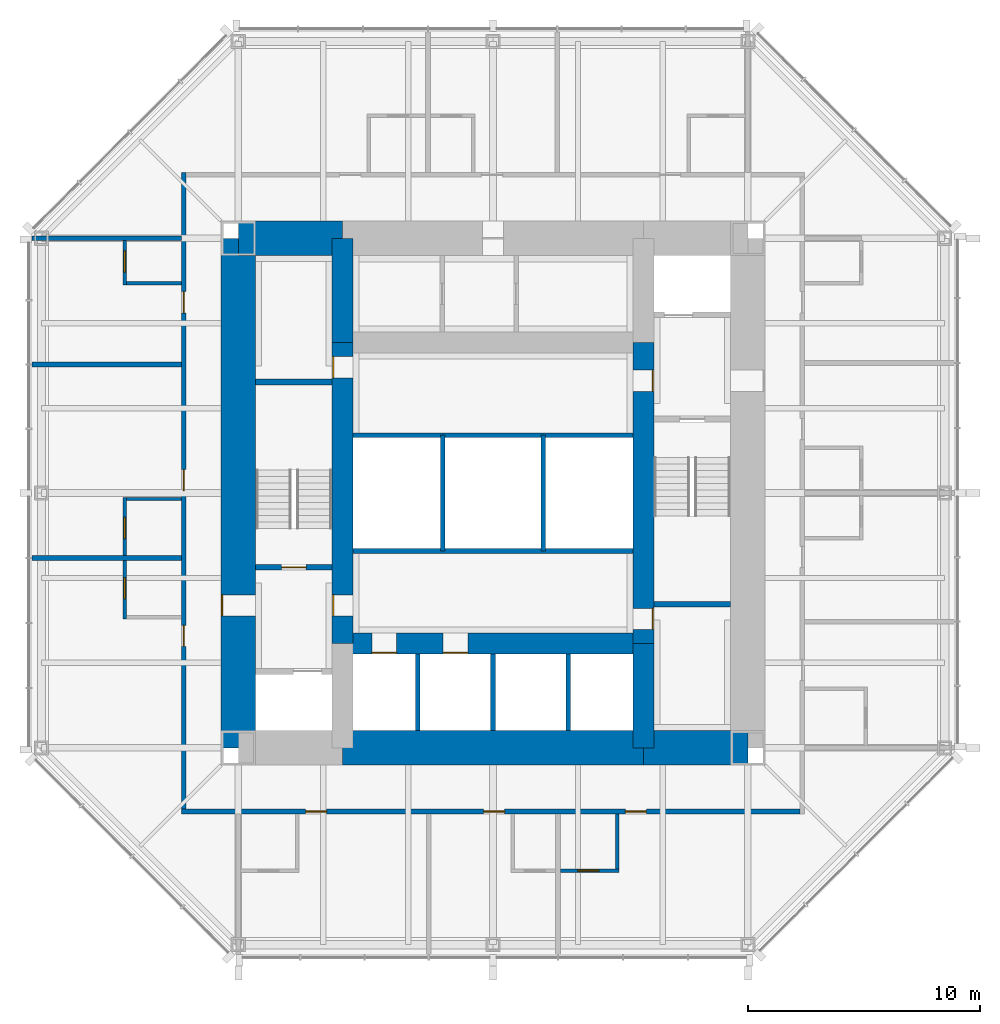
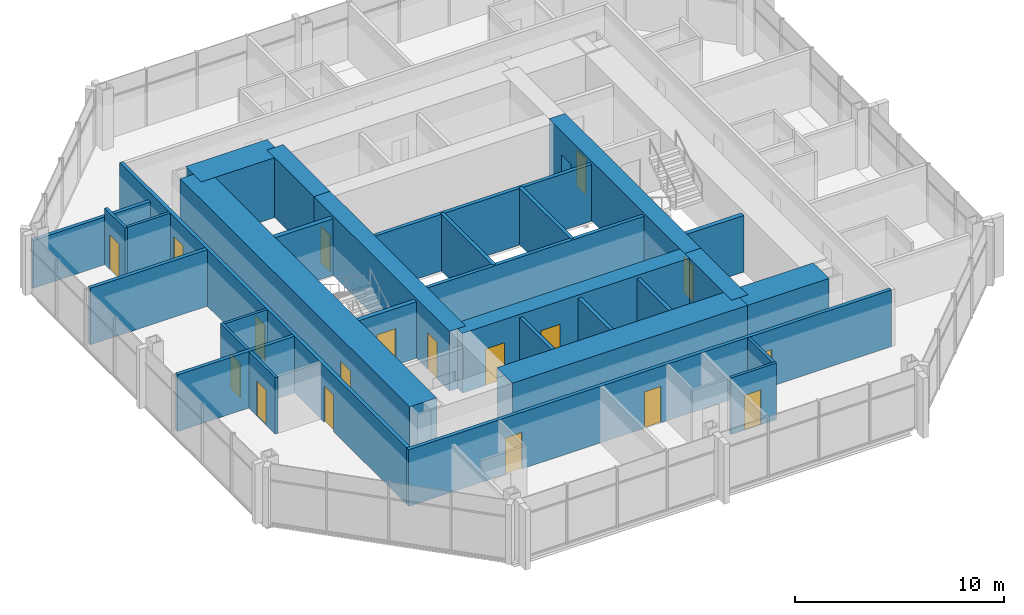
# One storey, part 8 of 11: 31 walls, 18 doors, 18 openings.
"""IFC4 building model written with IfcOpenShell, lengths in metres."""

from ifc_helpers import new_model, si_unit, direction, frame, frame_2d, origin, place, context, subcontext, project, spatial, rectangle, extrude, material, layer, layer_set, type_object, element, fill, save


model = new_model("IFC4")

# Units and contexts
model_context = context("Model", 3, precision=1e-05, world=origin(), true_north=direction((0.0, 1.0)))
body_context = subcontext(model_context, "Body", "Model", "MODEL_VIEW")
ifc_project = project(units=[si_unit("LENGTHUNIT", "METRE"), si_unit("AREAUNIT", "SQUARE_METRE"), si_unit("VOLUMEUNIT", "CUBIC_METRE"), si_unit("PLANEANGLEUNIT", "RADIAN"), si_unit("MASSUNIT", "GRAM", prefix="KILO")], contexts=[model_context])

# Site, building, storey
site_placement = place(None, origin())
site = spatial("IfcSite", under=ifc_project, at=site_placement, CompositionType="ELEMENT")
building_placement = place(site_placement, origin())
building = spatial("IfcBuilding", under=site, at=building_placement, Name="Trevanion Tower", CompositionType="ELEMENT")
storey_placement = place(building_placement, frame((0.0, 0.0, 215.199951171875)))
storey = spatial("IfcBuildingStorey", under=building, at=storey_placement, Name="L51", CompositionType="ELEMENT", Elevation=215.199951171875)

# Wall, opening, door
ifc_material_1 = material(Name="Concrete 10,000 psi", Category="concrete")
ifc_layer_1 = layer(ifc_material_1, 1.5)
ifc_layer_set_1 = layer_set([ifc_layer_1], Name="CW1 core wall 1500")
wall_type_1 = type_object("IfcWallType", Name="CW1 core wall 1500", PredefinedType="SHEAR", material=ifc_layer_set_1)
wall_1_placement = place(storey_placement, frame((-11.0, 11.0, 0.0), z_axis=(0.0, 0.0, 1.0), x_axis=(0.0, -1.0, 0.0)))
wall_1 = element("IfcWall", 1, at=wall_1_placement, inside=storey, type_object=wall_type_1, Name="CW1 CW L51", PredefinedType="SHEAR", context=body_context, shape_type="SweptSolid", body=[
    extrude(rectangle(XDim=22.0, YDim=1.5, at=frame_2d((11.0, 0.0))), origin(), (0.0, 0.0, 1.0), 3.5),
])
opening_1_placement = place(wall_1_placement, frame((15.392578125, 0.0, 0.0)))
opening_1 = element("IfcOpeningElement", 2, at=opening_1_placement, cuts=wall_1, Name="Opening 51-002", PredefinedType="OPENING", context=body_context, shape_type="SweptSolid", body=[
    extrude(rectangle(XDim=0.9150390625, YDim=2.134033203125, at=frame_2d((0.45751953125, 1.06689453125))), frame((0.0, 0.760009765625, 0.0), z_axis=(0.0, -1.0, 0.0), x_axis=(1.0, 0.0, 0.0)), (0.0, 0.0, 1.0), 1.52001953125),
])
ifc_material_2 = material(Name="Hollow metal, fire rated", Category="steel")
door_type_1 = type_object("IfcDoorType", Name="D3 fire lift lobby door", OperationType="SINGLE_SWING_RIGHT", PredefinedType="DOOR", material=ifc_material_2)
door_1_placement = place(opening_1_placement, origin())
door_1 = element("IfcDoor", 3, at=door_1_placement, inside=storey, type_object=door_type_1, Name="Door 51-002", OperationType="SINGLE_SWING_RIGHT", OverallHeight=2.134033203125, OverallWidth=0.9150390625, PredefinedType="DOOR", context=body_context, shape_type="SweptSolid", body=[
    extrude(rectangle(XDim=0.9150390625, YDim=2.134033203125, at=frame_2d((0.45751953125, 1.06689453125))), frame((0.0, -0.6748046875, 0.0), z_axis=(0.0, -1.0, 0.0), x_axis=(1.0, 0.0, 0.0)), (0.0, 0.0, 1.0), 0.050048828125),
])
fill(opening_1, door_1)

# Walls
wall_2_placement = place(storey_placement, frame((-6.5, 11.0, 0.0), z_axis=(0.0, 0.0, 1.0), x_axis=(-1.0, 0.0, 0.0)))
element("IfcWall", 4, at=wall_2_placement, inside=storey, type_object=wall_type_1, Name="CW1 CN3 L51", PredefinedType="SHEAR", context=body_context, shape_type="SweptSolid", body=[
    extrude(rectangle(XDim=4.5, YDim=1.5, at=frame_2d((2.25, 0.0))), origin(), (0.0, 0.0, 1.0), 3.5),
])
wall_3_placement = place(storey_placement, frame((-6.5, -11.0, 0.0), z_axis=(0.0, 0.0, 1.0), x_axis=(1.0, 0.0, 0.0)))
element("IfcWall", 5, at=wall_3_placement, inside=storey, type_object=wall_type_1, Name="CW1 CS2 L51", PredefinedType="SHEAR", context=body_context, shape_type="SweptSolid", body=[
    extrude(rectangle(XDim=13.0, YDim=1.5, at=frame_2d((6.5, 0.0))), origin(), (0.0, 0.0, 1.0), 3.5),
])
wall_4_placement = place(storey_placement, frame((6.5, -11.0, 0.0), z_axis=(0.0, 0.0, 1.0), x_axis=(1.0, 0.0, 0.0)))
element("IfcWall", 6, at=wall_4_placement, inside=storey, type_object=wall_type_1, Name="CW1 CS3 L51", PredefinedType="SHEAR", context=body_context, shape_type="SweptSolid", body=[
    extrude(rectangle(XDim=4.5, YDim=1.5, at=frame_2d((2.25, 0.0))), origin(), (0.0, 0.0, 1.0), 3.5),
])
ifc_material_3 = material(Name="Concrete 10,000 psi", Category="concrete")
ifc_layer_2 = layer(ifc_material_3, 0.89990234375)
ifc_layer_set_2 = layer_set([ifc_layer_2], Name="CW2 core wall 900")
wall_type_2 = type_object("IfcWallType", Name="CW2 core wall 900", PredefinedType="SHEAR", material=ifc_layer_set_2)
wall_5_placement = place(storey_placement, frame((6.5, -11.0, 0.0), z_axis=(0.0, 0.0, 1.0), x_axis=(0.0, 1.0, 0.0)))
element("IfcWall", 7, at=wall_5_placement, inside=storey, type_object=wall_type_2, Name="CW2 RE1 L51", PredefinedType="SHEAR", context=body_context, shape_type="SweptSolid", body=[
    extrude(rectangle(XDim=4.5, YDim=0.89990234375, at=frame_2d((2.25, 0.0))), origin(), (0.0, 0.0, 1.0), 3.5),
])

# Wall, openings, doors
wall_6_placement = place(storey_placement, frame((6.5, -6.5, 0.0), z_axis=(0.0, 0.0, 1.0), x_axis=(0.0, 1.0, 0.0)))
wall_6 = element("IfcWall", 8, at=wall_6_placement, inside=storey, type_object=wall_type_2, Name="CW2 RE2 L51", PredefinedType="SHEAR", context=body_context, shape_type="SweptSolid", body=[
    extrude(rectangle(XDim=13.0, YDim=0.89990234375, at=frame_2d((6.5, 0.0))), origin(), (0.0, 0.0, 1.0), 3.5),
])
opening_2_placement = place(wall_6_placement, frame((10.892578125, 0.0, 0.0)))
opening_2 = element("IfcOpeningElement", 9, at=opening_2_placement, cuts=wall_6, Name="Opening 51-003", PredefinedType="OPENING", context=body_context, shape_type="SweptSolid", body=[
    extrude(rectangle(XDim=0.9150390625, YDim=2.134033203125, at=frame_2d((0.45751953125, 1.06689453125))), frame((0.0, 0.4599609375, 0.0), z_axis=(0.0, -1.0, 0.0), x_axis=(1.0, 0.0, 0.0)), (0.0, 0.0, 1.0), 0.919921875),
])
opening_3_placement = place(wall_6_placement, frame((0.610107421875, 0.0, 0.0)))
opening_3 = element("IfcOpeningElement", 10, at=opening_3_placement, cuts=wall_6, Name="Opening 51-009", PredefinedType="OPENING", context=body_context, shape_type="SweptSolid", body=[
    extrude(rectangle(XDim=0.9150390625, YDim=2.134033203125, at=frame_2d((0.45751953125, 1.06689453125))), frame((0.0, 0.4599609375, 0.0), z_axis=(0.0, -1.0, 0.0), x_axis=(1.0, 0.0, 0.0)), (0.0, 0.0, 1.0), 0.919921875),
])
door_2_placement = place(opening_2_placement, origin())
door_2 = element("IfcDoor", 11, at=door_2_placement, inside=storey, type_object=door_type_1, Name="Door 51-003", OperationType="SINGLE_SWING_RIGHT", OverallHeight=2.134033203125, OverallWidth=0.9150390625, PredefinedType="DOOR", context=body_context, shape_type="SweptSolid", body=[
    extrude(rectangle(XDim=0.9150390625, YDim=2.134033203125, at=frame_2d((0.45751953125, 1.06689453125))), frame((0.0, -0.375, 0.0), z_axis=(0.0, -1.0, 0.0), x_axis=(1.0, 0.0, 0.0)), (0.0, 0.0, 1.0), 0.050048828125),
])
fill(opening_2, door_2)
ifc_material_4 = material(Name="Hollow metal, fire rated", Category="steel")
door_type_2 = type_object("IfcDoorType", Name="D5 service room door", OperationType="SINGLE_SWING_RIGHT", PredefinedType="DOOR", material=ifc_material_4)
door_3_placement = place(opening_3_placement, origin())
door_3 = element("IfcDoor", 12, at=door_3_placement, inside=storey, type_object=door_type_2, Name="Door 51-009", OperationType="SINGLE_SWING_RIGHT", OverallHeight=2.134033203125, OverallWidth=0.9150390625, PredefinedType="DOOR", context=body_context, shape_type="SweptSolid", body=[
    extrude(rectangle(XDim=0.9150390625, YDim=2.134033203125, at=frame_2d((0.45751953125, 1.06689453125))), frame((0.0, -0.375, 0.0), z_axis=(0.0, -1.0, 0.0), x_axis=(1.0, 0.0, 0.0)), (0.0, 0.0, 1.0), 0.050048828125),
])
fill(opening_3, door_3)

# Wall
wall_7_placement = place(storey_placement, frame((-6.5, 11.0, 0.0), z_axis=(0.0, 0.0, 1.0), x_axis=(0.0, -1.0, 0.0)))
element("IfcWall", 13, at=wall_7_placement, inside=storey, type_object=wall_type_2, Name="CW2 RW1 L51", PredefinedType="SHEAR", context=body_context, shape_type="SweptSolid", body=[
    extrude(rectangle(XDim=4.5, YDim=0.89990234375, at=frame_2d((2.25, 0.0))), origin(), (0.0, 0.0, 1.0), 3.5),
])

# Wall, openings, doors
wall_8_placement = place(storey_placement, frame((-6.5, 6.5, 0.0), z_axis=(0.0, 0.0, 1.0), x_axis=(0.0, -1.0, 0.0)))
wall_8 = element("IfcWall", 14, at=wall_8_placement, inside=storey, type_object=wall_type_2, Name="CW2 RW2 L51", PredefinedType="SHEAR", context=body_context, shape_type="SweptSolid", body=[
    extrude(rectangle(XDim=13.0, YDim=0.89990234375, at=frame_2d((6.5, 0.0))), origin(), (0.0, 0.0, 1.0), 3.5),
])
opening_4_placement = place(wall_8_placement, frame((10.892578125, 0.0, 0.0)))
opening_4 = element("IfcOpeningElement", 15, at=opening_4_placement, cuts=wall_8, Name="Opening 51-004", PredefinedType="OPENING", context=body_context, shape_type="SweptSolid", body=[
    extrude(rectangle(XDim=0.9150390625, YDim=2.134033203125, at=frame_2d((0.45751953125, 1.06689453125))), frame((0.0, 0.4599609375, 0.0), z_axis=(0.0, -1.0, 0.0), x_axis=(1.0, 0.0, 0.0)), (0.0, 0.0, 1.0), 0.919921875),
])
opening_5_placement = place(wall_8_placement, frame((0.610107421875, 0.0, 0.0)))
opening_5 = element("IfcOpeningElement", 16, at=opening_5_placement, cuts=wall_8, Name="Opening 51-010", PredefinedType="OPENING", context=body_context, shape_type="SweptSolid", body=[
    extrude(rectangle(XDim=0.9150390625, YDim=2.134033203125, at=frame_2d((0.45751953125, 1.06689453125))), frame((0.0, 0.4599609375, 0.0), z_axis=(0.0, -1.0, 0.0), x_axis=(1.0, 0.0, 0.0)), (0.0, 0.0, 1.0), 0.919921875),
])
door_4_placement = place(opening_4_placement, origin())
door_4 = element("IfcDoor", 17, at=door_4_placement, inside=storey, type_object=door_type_1, Name="Door 51-004", OperationType="SINGLE_SWING_RIGHT", OverallHeight=2.134033203125, OverallWidth=0.9150390625, PredefinedType="DOOR", context=body_context, shape_type="SweptSolid", body=[
    extrude(rectangle(XDim=0.9150390625, YDim=2.134033203125, at=frame_2d((0.45751953125, 1.06689453125))), frame((0.0, -0.375, 0.0), z_axis=(0.0, -1.0, 0.0), x_axis=(1.0, 0.0, 0.0)), (0.0, 0.0, 1.0), 0.050048828125),
])
fill(opening_4, door_4)
door_5_placement = place(opening_5_placement, origin())
door_5 = element("IfcDoor", 18, at=door_5_placement, inside=storey, type_object=door_type_2, Name="Door 51-010", OperationType="SINGLE_SWING_RIGHT", OverallHeight=2.134033203125, OverallWidth=0.9150390625, PredefinedType="DOOR", context=body_context, shape_type="SweptSolid", body=[
    extrude(rectangle(XDim=0.9150390625, YDim=2.134033203125, at=frame_2d((0.45751953125, 1.06689453125))), frame((0.0, -0.375, 0.0), z_axis=(0.0, -1.0, 0.0), x_axis=(1.0, 0.0, 0.0)), (0.0, 0.0, 1.0), 0.050048828125),
])
fill(opening_5, door_5)

wall_9_placement = place(storey_placement, frame((-6.5, -6.5, 0.0), z_axis=(0.0, 0.0, 1.0), x_axis=(1.0, 0.0, 0.0)))
wall_9 = element("IfcWall", 19, at=wall_9_placement, inside=storey, type_object=wall_type_2, Name="CW2 RS L51", PredefinedType="SHEAR", context=body_context, shape_type="SweptSolid", body=[
    extrude(rectangle(XDim=13.0, YDim=0.89990234375, at=frame_2d((6.5, 0.0))), origin(), (0.0, 0.0, 1.0), 3.5),
])
opening_6_placement = place(wall_9_placement, frame((1.2666015625, 0.0, 0.0)))
opening_6 = element("IfcOpeningElement", 20, at=opening_6_placement, cuts=wall_9, Name="Opening 51-011", PredefinedType="OPENING", context=body_context, shape_type="SweptSolid", body=[
    extrude(rectangle(XDim=1.06689453125, YDim=2.134033203125, at=frame_2d((0.533447265625, 1.06689453125))), frame((0.0, 0.4599609375, 0.0), z_axis=(0.0, -1.0, 0.0), x_axis=(1.0, 0.0, 0.0)), (0.0, 0.0, 1.0), 0.919921875),
])
opening_7_placement = place(wall_9_placement, frame((4.341552734375, 0.0, 0.0)))
opening_7 = element("IfcOpeningElement", 21, at=opening_7_placement, cuts=wall_9, Name="Opening 51-012", PredefinedType="OPENING", context=body_context, shape_type="SweptSolid", body=[
    extrude(rectangle(XDim=1.06689453125, YDim=2.134033203125, at=frame_2d((0.533447265625, 1.06689453125))), frame((0.0, 0.4599609375, 0.0), z_axis=(0.0, -1.0, 0.0), x_axis=(1.0, 0.0, 0.0)), (0.0, 0.0, 1.0), 0.919921875),
])
ifc_material_5 = material(Name="Stainless steel, fire rated", Category="steel")
door_type_3 = type_object("IfcDoorType", Name="LD1 lift landing door", OperationType="SLIDING_TO_LEFT", PredefinedType="DOOR", material=ifc_material_5)
door_6_placement = place(opening_6_placement, origin())
door_6 = element("IfcDoor", 22, at=door_6_placement, inside=storey, type_object=door_type_3, Name="Door 51-011", OperationType="SLIDING_TO_LEFT", OverallHeight=2.134033203125, OverallWidth=1.06689453125, PredefinedType="DOOR", context=body_context, shape_type="SweptSolid", body=[
    extrude(rectangle(XDim=1.06689453125, YDim=2.134033203125, at=frame_2d((0.533447265625, 1.06689453125))), frame((0.0, -0.375, 0.0), z_axis=(0.0, -1.0, 0.0), x_axis=(1.0, 0.0, 0.0)), (0.0, 0.0, 1.0), 0.050048828125),
])
fill(opening_6, door_6)
door_7_placement = place(opening_7_placement, origin())
door_7 = element("IfcDoor", 23, at=door_7_placement, inside=storey, type_object=door_type_3, Name="Door 51-012", OperationType="SLIDING_TO_LEFT", OverallHeight=2.134033203125, OverallWidth=1.06689453125, PredefinedType="DOOR", context=body_context, shape_type="SweptSolid", body=[
    extrude(rectangle(XDim=1.06689453125, YDim=2.134033203125, at=frame_2d((0.533447265625, 1.06689453125))), frame((0.0, -0.375, 0.0), z_axis=(0.0, -1.0, 0.0), x_axis=(1.0, 0.0, 0.0)), (0.0, 0.0, 1.0), 0.050048828125),
])
fill(opening_7, door_7)

# Wall, opening, door
ifc_material_6 = material(Name="Gypsum board on steel studs", Category="steel")
ifc_layer_3 = layer(ifc_material_6, 0.14990234375)
ifc_layer_set_3 = layer_set([ifc_layer_3], Name="PT1 partition 150")
wall_type_3 = type_object("IfcWallType", Name="PT1 partition 150", PredefinedType="PARTITIONING", material=ifc_layer_set_3)
wall_10_placement = place(storey_placement, frame((-15.89990234375, 10.89990234375, 0.0), z_axis=(0.0, 0.0, 1.0), x_axis=(0.0, -1.0, 0.0)))
wall_10 = element("IfcWall", 24, at=wall_10_placement, inside=storey, type_object=wall_type_3, Name="PT1 L51 BA20", PredefinedType="PARTITIONING", context=body_context, shape_type="SweptSolid", body=[
    extrude(rectangle(XDim=1.9248046875, YDim=0.14990234375, at=frame_2d((0.96240234375, 0.0))), origin(), (0.0, 0.0, 1.0), 3.31005859375),
])
opening_8_placement = place(wall_10_placement, frame((0.4423828125, 0.0, 0.0)))
opening_8 = element("IfcOpeningElement", 25, at=opening_8_placement, cuts=wall_10, Name="Opening 51-030", PredefinedType="OPENING", context=body_context, shape_type="SweptSolid", body=[
    extrude(rectangle(XDim=0.9150390625, YDim=2.031982421875, at=frame_2d((0.45751953125, 1.01611328125))), frame((0.0, 0.0849609375, 0.0), z_axis=(0.0, -1.0, 0.0), x_axis=(1.0, 0.0, 0.0)), (0.0, 0.0, 1.0), 0.169921875),
])
ifc_material_7 = material(Name="Timber veneer", Category="wood")
door_type_4 = type_object("IfcDoorType", Name="D7 bathroom door", OperationType="SINGLE_SWING_LEFT", PredefinedType="DOOR", material=ifc_material_7)
door_8_placement = place(opening_8_placement, origin())
door_8 = element("IfcDoor", 26, at=door_8_placement, inside=storey, type_object=door_type_4, Name="Door 51-030", OperationType="SINGLE_SWING_LEFT", OverallHeight=2.031982421875, OverallWidth=0.9150390625, PredefinedType="DOOR", context=body_context, shape_type="SweptSolid", body=[
    extrude(rectangle(XDim=0.9150390625, YDim=2.031982421875, at=frame_2d((0.45751953125, 1.01611328125))), frame((0.0, 0.02490234375, 0.0), z_axis=(0.0, -1.0, 0.0), x_axis=(1.0, 0.0, 0.0)), (0.0, 0.0, 1.0), 0.050048828125),
])
fill(opening_8, door_8)

# Wall
wall_11_placement = place(storey_placement, frame((-13.449951171875, 9.050048828125, 0.0), z_axis=(0.0, 0.0, 1.0), x_axis=(-1.0, 0.0, 0.0)))
element("IfcWall", 27, at=wall_11_placement, inside=storey, type_object=wall_type_3, Name="PT1 L51 BB20", PredefinedType="PARTITIONING", context=body_context, shape_type="SweptSolid", body=[
    extrude(rectangle(XDim=2.375, YDim=0.14990234375, at=frame_2d((1.1875, 0.0))), origin(), (0.0, 0.0, 1.0), 3.31005859375),
])

# Wall, opening, door
wall_12_placement = place(storey_placement, frame((-15.89990234375, -0.181884765625, 0.0), z_axis=(0.0, 0.0, 1.0), x_axis=(0.0, -1.0, 0.0)))
wall_12 = element("IfcWall", 28, at=wall_12_placement, inside=storey, type_object=wall_type_3, Name="PT1 L51 BA21", PredefinedType="PARTITIONING", context=body_context, shape_type="SweptSolid", body=[
    extrude(rectangle(XDim=2.525146484375, YDim=0.14990234375, at=frame_2d((1.2626953125, 0.0))), origin(), (0.0, 0.0, 1.0), 3.31005859375),
])
opening_9_placement = place(wall_12_placement, frame((0.867431640625, 0.0, 0.0)))
opening_9 = element("IfcOpeningElement", 29, at=opening_9_placement, cuts=wall_12, Name="Opening 51-032", PredefinedType="OPENING", context=body_context, shape_type="SweptSolid", body=[
    extrude(rectangle(XDim=0.9150390625, YDim=2.031982421875, at=frame_2d((0.45751953125, 1.01611328125))), frame((0.0, 0.0849609375, 0.0), z_axis=(0.0, -1.0, 0.0), x_axis=(1.0, 0.0, 0.0)), (0.0, 0.0, 1.0), 0.169921875),
])
door_9_placement = place(opening_9_placement, origin())
door_9 = element("IfcDoor", 30, at=door_9_placement, inside=storey, type_object=door_type_4, Name="Door 51-032", OperationType="SINGLE_SWING_LEFT", OverallHeight=2.031982421875, OverallWidth=0.9150390625, PredefinedType="DOOR", context=body_context, shape_type="SweptSolid", body=[
    extrude(rectangle(XDim=0.9150390625, YDim=2.031982421875, at=frame_2d((0.45751953125, 1.01611328125))), frame((0.0, 0.02490234375, 0.0), z_axis=(0.0, -1.0, 0.0), x_axis=(1.0, 0.0, 0.0)), (0.0, 0.0, 1.0), 0.050048828125),
])
fill(opening_9, door_9)

# Wall
wall_13_placement = place(storey_placement, frame((-13.449951171875, -0.257080078125, 0.0), z_axis=(0.0, 0.0, 1.0), x_axis=(-1.0, 0.0, 0.0)))
element("IfcWall", 31, at=wall_13_placement, inside=storey, type_object=wall_type_3, Name="PT1 L51 BB21", PredefinedType="PARTITIONING", context=body_context, shape_type="SweptSolid", body=[
    extrude(rectangle(XDim=2.375, YDim=0.14990234375, at=frame_2d((1.1875, 0.0))), origin(), (0.0, 0.0, 1.0), 3.31005859375),
])

# Wall, opening, door
wall_14_placement = place(storey_placement, frame((-15.89990234375, -2.906982421875, 0.0), z_axis=(0.0, 0.0, 1.0), x_axis=(0.0, -1.0, 0.0)))
wall_14 = element("IfcWall", 32, at=wall_14_placement, inside=storey, type_object=wall_type_3, Name="PT1 L51 BA22", PredefinedType="PARTITIONING", context=body_context, shape_type="SweptSolid", body=[
    extrude(rectangle(XDim=2.52490234375, YDim=0.14990234375, at=frame_2d((1.262451171875, 0.0))), origin(), (0.0, 0.0, 1.0), 3.31005859375),
])
opening_10_placement = place(wall_14_placement, frame((0.742431640625, 0.0, 0.0)))
opening_10 = element("IfcOpeningElement", 33, at=opening_10_placement, cuts=wall_14, Name="Opening 51-034", PredefinedType="OPENING", context=body_context, shape_type="SweptSolid", body=[
    extrude(rectangle(XDim=0.9150390625, YDim=2.031982421875, at=frame_2d((0.45751953125, 1.01611328125))), frame((0.0, 0.0849609375, 0.0), z_axis=(0.0, -1.0, 0.0), x_axis=(1.0, 0.0, 0.0)), (0.0, 0.0, 1.0), 0.169921875),
])
door_10_placement = place(opening_10_placement, origin())
door_10 = element("IfcDoor", 34, at=door_10_placement, inside=storey, type_object=door_type_4, Name="Door 51-034", OperationType="SINGLE_SWING_LEFT", OverallHeight=2.031982421875, OverallWidth=0.9150390625, PredefinedType="DOOR", context=body_context, shape_type="SweptSolid", body=[
    extrude(rectangle(XDim=0.9150390625, YDim=2.031982421875, at=frame_2d((0.45751953125, 1.01611328125))), frame((0.0, 0.02490234375, 0.0), z_axis=(0.0, -1.0, 0.0), x_axis=(1.0, 0.0, 0.0)), (0.0, 0.0, 1.0), 0.050048828125),
])
fill(opening_10, door_10)

wall_15_placement = place(storey_placement, frame((2.906982421875, -16.300048828125, 0.0), z_axis=(0.0, 0.0, 1.0), x_axis=(1.0, 0.0, 0.0)))
wall_15 = element("IfcWall", 35, at=wall_15_placement, inside=storey, type_object=wall_type_3, Name="PT1 L51 BA32", PredefinedType="PARTITIONING", context=body_context, shape_type="SweptSolid", body=[
    extrude(rectangle(XDim=2.52490234375, YDim=0.14990234375, at=frame_2d((1.262451171875, 0.0))), origin(), (0.0, 0.0, 1.0), 3.31005859375),
])
opening_11_placement = place(wall_15_placement, frame((0.742431640625, 0.0, 0.0)))
opening_11 = element("IfcOpeningElement", 36, at=opening_11_placement, cuts=wall_15, Name="Opening 51-040", PredefinedType="OPENING", context=body_context, shape_type="SweptSolid", body=[
    extrude(rectangle(XDim=0.9150390625, YDim=2.031982421875, at=frame_2d((0.45751953125, 1.01611328125))), frame((0.0, 0.0849609375, 0.0), z_axis=(0.0, -1.0, 0.0), x_axis=(1.0, 0.0, 0.0)), (0.0, 0.0, 1.0), 0.169921875),
])
door_11_placement = place(opening_11_placement, origin())
door_11 = element("IfcDoor", 37, at=door_11_placement, inside=storey, type_object=door_type_4, Name="Door 51-040", OperationType="SINGLE_SWING_LEFT", OverallHeight=2.031982421875, OverallWidth=0.9150390625, PredefinedType="DOOR", context=body_context, shape_type="SweptSolid", body=[
    extrude(rectangle(XDim=0.9150390625, YDim=2.031982421875, at=frame_2d((0.45751953125, 1.01611328125))), frame((0.0, 0.02490234375, 0.0), z_axis=(0.0, -1.0, 0.0), x_axis=(1.0, 0.0, 0.0)), (0.0, 0.0, 1.0), 0.050048828125),
])
fill(opening_11, door_11)

# Walls
wall_16_placement = place(storey_placement, frame((5.35693359375, -13.85009765625, 0.0), z_axis=(0.0, 0.0, 1.0), x_axis=(0.0, -1.0, 0.0)))
element("IfcWall", 38, at=wall_16_placement, inside=storey, type_object=wall_type_3, Name="PT1 L51 BB32", PredefinedType="PARTITIONING", context=body_context, shape_type="SweptSolid", body=[
    extrude(rectangle(XDim=2.375, YDim=0.14990234375, at=frame_2d((1.1875, 0.0))), origin(), (0.0, 0.0, 1.0), 3.31005859375),
])
ifc_material_8 = material(Name="Concrete masonry, grouted", Category="masonry")
ifc_layer_4 = layer(ifc_material_8, 0.199951171875)
ifc_layer_set_4 = layer_set([ifc_layer_4], Name="PT2 partition 200 1 HR")
wall_type_4 = type_object("IfcWallType", Name="PT2 partition 200 1 HR", PredefinedType="PARTITIONING", material=ifc_layer_set_4)
for number, where, z_axis, x_axis, name in (
    (39, (-6.050048828125, 2.5, 0.0), (0.0, 0.0, 1.0), (1.0, 0.0, 0.0), "PT2 L51 CP1"),
    (40, (6.050048828125, -2.5, 0.0), (0.0, 0.0, 1.0), (-1.0, 0.0, 0.0), "PT2 L51 CP2"),
):
    element("IfcWall", number, at=place(storey_placement, frame(where, z_axis=z_axis, x_axis=x_axis)), inside=storey, type_object=wall_type_4, Name=name, PredefinedType="PARTITIONING", context=body_context, shape_type="SweptSolid", body=[
        extrude(rectangle(XDim=12.10009765625, YDim=0.199951171875, at=frame_2d((6.050048828125, 0.0))), origin(), (0.0, 0.0, 1.0), 3.31005859375),
    ])

# Wall, openings, doors
wall_17_placement = place(storey_placement, frame((-13.35009765625, 13.85009765625, 0.0), z_axis=(0.0, 0.0, 1.0), x_axis=(0.0, -1.0, 0.0)))
wall_17 = element("IfcWall", 41, at=wall_17_placement, inside=storey, type_object=wall_type_4, Name="PT2 L51 HC2", PredefinedType="PARTITIONING", context=body_context, shape_type="SweptSolid", body=[
    extrude(rectangle(XDim=27.5, YDim=0.199951171875, at=frame_2d((13.75, 0.0))), origin(), (0.0, 0.0, 1.0), 3.31005859375),
])
opening_12_placement = place(wall_17_placement, frame((5.152587890625, 0.0, 0.0)))
opening_12 = element("IfcOpeningElement", 42, at=opening_12_placement, cuts=wall_17, Name="Opening 51-031", PredefinedType="OPENING", context=body_context, shape_type="SweptSolid", body=[
    extrude(rectangle(XDim=0.9150390625, YDim=2.134033203125, at=frame_2d((0.45751953125, 1.06689453125))), frame((0.0, 0.10986328125, 0.0), z_axis=(0.0, -1.0, 0.0), x_axis=(1.0, 0.0, 0.0)), (0.0, 0.0, 1.0), 0.219970703125),
])
opening_13_placement = place(wall_17_placement, frame((12.839599609375, 0.0, 0.0)))
opening_13 = element("IfcOpeningElement", 43, at=opening_13_placement, cuts=wall_17, Name="Opening 51-033", PredefinedType="OPENING", context=body_context, shape_type="SweptSolid", body=[
    extrude(rectangle(XDim=0.9150390625, YDim=2.134033203125, at=frame_2d((0.45751953125, 1.06689453125))), frame((0.0, 0.10986328125, 0.0), z_axis=(0.0, -1.0, 0.0), x_axis=(1.0, 0.0, 0.0)), (0.0, 0.0, 1.0), 0.219970703125),
])
opening_14_placement = place(wall_17_placement, frame((19.5595703125, 0.0, 0.0)))
opening_14 = element("IfcOpeningElement", 44, at=opening_14_placement, cuts=wall_17, Name="Opening 51-035", PredefinedType="OPENING", context=body_context, shape_type="SweptSolid", body=[
    extrude(rectangle(XDim=0.9150390625, YDim=2.134033203125, at=frame_2d((0.45751953125, 1.06689453125))), frame((0.0, 0.10986328125, 0.0), z_axis=(0.0, -1.0, 0.0), x_axis=(1.0, 0.0, 0.0)), (0.0, 0.0, 1.0), 0.219970703125),
])
ifc_material_9 = material(Name="Timber veneer, fire rated", Category="wood")
door_type_5 = type_object("IfcDoorType", Name="D6 guest room entrance door", OperationType="SINGLE_SWING_LEFT", PredefinedType="DOOR", material=ifc_material_9)
door_12_placement = place(opening_12_placement, origin())
door_12 = element("IfcDoor", 45, at=door_12_placement, inside=storey, type_object=door_type_5, Name="Door 51-031", OperationType="SINGLE_SWING_LEFT", OverallHeight=2.134033203125, OverallWidth=0.9150390625, PredefinedType="DOOR", context=body_context, shape_type="SweptSolid", body=[
    extrude(rectangle(XDim=0.9150390625, YDim=2.134033203125, at=frame_2d((0.45751953125, 1.06689453125))), frame((0.0, 0.02490234375, 0.0), z_axis=(0.0, -1.0, 0.0), x_axis=(1.0, 0.0, 0.0)), (0.0, 0.0, 1.0), 0.050048828125),
])
fill(opening_12, door_12)
door_13_placement = place(opening_13_placement, origin())
door_13 = element("IfcDoor", 46, at=door_13_placement, inside=storey, type_object=door_type_5, Name="Door 51-033", OperationType="SINGLE_SWING_LEFT", OverallHeight=2.134033203125, OverallWidth=0.9150390625, PredefinedType="DOOR", context=body_context, shape_type="SweptSolid", body=[
    extrude(rectangle(XDim=0.9150390625, YDim=2.134033203125, at=frame_2d((0.45751953125, 1.06689453125))), frame((0.0, 0.02490234375, 0.0), z_axis=(0.0, -1.0, 0.0), x_axis=(1.0, 0.0, 0.0)), (0.0, 0.0, 1.0), 0.050048828125),
])
fill(opening_13, door_13)
door_14_placement = place(opening_14_placement, origin())
door_14 = element("IfcDoor", 47, at=door_14_placement, inside=storey, type_object=door_type_5, Name="Door 51-035", OperationType="SINGLE_SWING_LEFT", OverallHeight=2.134033203125, OverallWidth=0.9150390625, PredefinedType="DOOR", context=body_context, shape_type="SweptSolid", body=[
    extrude(rectangle(XDim=0.9150390625, YDim=2.134033203125, at=frame_2d((0.45751953125, 1.06689453125))), frame((0.0, 0.02490234375, 0.0), z_axis=(0.0, -1.0, 0.0), x_axis=(1.0, 0.0, 0.0)), (0.0, 0.0, 1.0), 0.050048828125),
])
fill(opening_14, door_14)

wall_18_placement = place(storey_placement, frame((-13.449951171875, -13.75, 0.0), z_axis=(0.0, 0.0, 1.0), x_axis=(1.0, 0.0, 0.0)))
wall_18 = element("IfcWall", 48, at=wall_18_placement, inside=storey, type_object=wall_type_4, Name="PT2 L51 HC3", PredefinedType="PARTITIONING", context=body_context, shape_type="SweptSolid", body=[
    extrude(rectangle(XDim=26.699951171875, YDim=0.199951171875, at=frame_2d((13.35009765625, 0.0))), origin(), (0.0, 0.0, 1.0), 3.31005859375),
])
opening_15_placement = place(wall_18_placement, frame((5.3525390625, 0.0, 0.0)))
opening_15 = element("IfcOpeningElement", 49, at=opening_15_placement, cuts=wall_18, Name="Opening 51-037", PredefinedType="OPENING", context=body_context, shape_type="SweptSolid", body=[
    extrude(rectangle(XDim=0.9150390625, YDim=2.134033203125, at=frame_2d((0.45751953125, 1.06689453125))), frame((0.0, 0.10986328125, 0.0), z_axis=(0.0, -1.0, 0.0), x_axis=(1.0, 0.0, 0.0)), (0.0, 0.0, 1.0), 0.219970703125),
])
opening_16_placement = place(wall_18_placement, frame((13.03955078125, 0.0, 0.0)))
opening_16 = element("IfcOpeningElement", 50, at=opening_16_placement, cuts=wall_18, Name="Opening 51-039", PredefinedType="OPENING", context=body_context, shape_type="SweptSolid", body=[
    extrude(rectangle(XDim=0.9150390625, YDim=2.134033203125, at=frame_2d((0.45751953125, 1.06689453125))), frame((0.0, 0.10986328125, 0.0), z_axis=(0.0, -1.0, 0.0), x_axis=(1.0, 0.0, 0.0)), (0.0, 0.0, 1.0), 0.219970703125),
])
opening_17_placement = place(wall_18_placement, frame((19.159423828125, 0.0, 0.0)))
opening_17 = element("IfcOpeningElement", 51, at=opening_17_placement, cuts=wall_18, Name="Opening 51-041", PredefinedType="OPENING", context=body_context, shape_type="SweptSolid", body=[
    extrude(rectangle(XDim=0.9150390625, YDim=2.134033203125, at=frame_2d((0.45751953125, 1.06689453125))), frame((0.0, 0.10986328125, 0.0), z_axis=(0.0, -1.0, 0.0), x_axis=(1.0, 0.0, 0.0)), (0.0, 0.0, 1.0), 0.219970703125),
])
door_15_placement = place(opening_15_placement, origin())
door_15 = element("IfcDoor", 52, at=door_15_placement, inside=storey, type_object=door_type_5, Name="Door 51-037", OperationType="SINGLE_SWING_LEFT", OverallHeight=2.134033203125, OverallWidth=0.9150390625, PredefinedType="DOOR", context=body_context, shape_type="SweptSolid", body=[
    extrude(rectangle(XDim=0.9150390625, YDim=2.134033203125, at=frame_2d((0.45751953125, 1.06689453125))), frame((0.0, 0.02490234375, 0.0), z_axis=(0.0, -1.0, 0.0), x_axis=(1.0, 0.0, 0.0)), (0.0, 0.0, 1.0), 0.050048828125),
])
fill(opening_15, door_15)
door_16_placement = place(opening_16_placement, origin())
door_16 = element("IfcDoor", 53, at=door_16_placement, inside=storey, type_object=door_type_5, Name="Door 51-039", OperationType="SINGLE_SWING_LEFT", OverallHeight=2.134033203125, OverallWidth=0.9150390625, PredefinedType="DOOR", context=body_context, shape_type="SweptSolid", body=[
    extrude(rectangle(XDim=0.9150390625, YDim=2.134033203125, at=frame_2d((0.45751953125, 1.06689453125))), frame((0.0, 0.02490234375, 0.0), z_axis=(0.0, -1.0, 0.0), x_axis=(1.0, 0.0, 0.0)), (0.0, 0.0, 1.0), 0.050048828125),
])
fill(opening_16, door_16)
door_17_placement = place(opening_17_placement, origin())
door_17 = element("IfcDoor", 54, at=door_17_placement, inside=storey, type_object=door_type_5, Name="Door 51-041", OperationType="SINGLE_SWING_LEFT", OverallHeight=2.134033203125, OverallWidth=0.9150390625, PredefinedType="DOOR", context=body_context, shape_type="SweptSolid", body=[
    extrude(rectangle(XDim=0.9150390625, YDim=2.134033203125, at=frame_2d((0.45751953125, 1.06689453125))), frame((0.0, 0.02490234375, 0.0), z_axis=(0.0, -1.0, 0.0), x_axis=(1.0, 0.0, 0.0)), (0.0, 0.0, 1.0), 0.050048828125),
])
fill(opening_17, door_17)

# Walls
wall_19_placement = place(storey_placement, frame((-13.449951171875, 11.0, 0.0), z_axis=(0.0, 0.0, 1.0), x_axis=(-1.0, 0.0, 0.0)))
element("IfcWall", 55, at=wall_19_placement, inside=storey, type_object=wall_type_4, Name="PT2 L51 HD20", PredefinedType="PARTITIONING", context=body_context, shape_type="SweptSolid", body=[
    extrude(rectangle(XDim=6.465087890625, YDim=0.199951171875, at=frame_2d((3.232421875, 0.0))), origin(), (0.0, 0.0, 1.0), 2.802001953125),
])
for number, where, z_axis, x_axis, name in (
    (56, (-13.449951171875, 5.549072265625, 0.0), (0.0, 0.0, 1.0), (-1.0, 0.0, 0.0), "PT2 L51 HD21"),
    (57, (-13.449951171875, -2.806884765625, 0.0), (0.0, 0.0, 1.0), (-1.0, 0.0, 0.0), "PT2 L51 HD22"),
):
    element("IfcWall", number, at=place(storey_placement, frame(where, z_axis=z_axis, x_axis=x_axis)), inside=storey, type_object=wall_type_4, Name=name, PredefinedType="PARTITIONING", context=body_context, shape_type="SweptSolid", body=[
        extrude(rectangle(XDim=6.465087890625, YDim=0.199951171875, at=frame_2d((3.232421875, 0.0))), origin(), (0.0, 0.0, 1.0), 3.31005859375),
    ])
ifc_material_10 = material(Name="Concrete masonry, grouted", Category="masonry")
ifc_layer_5 = layer(ifc_material_10, 0.199951171875)
ifc_layer_set_5 = layer_set([ifc_layer_5], Name="PT2 partition 200 2 HR")
wall_type_5 = type_object("IfcWallType", Name="PT2 partition 200 2 HR", PredefinedType="PARTITIONING", material=ifc_layer_set_5)
for number, where, z_axis, x_axis, name in (
    (58, (-3.25, -10.25, 0.0), (0.0, 0.0, 1.0), (0.0, 1.0, 0.0), "PT2 L51 SS0"),
    (59, (0.0, -10.25, 0.0), (0.0, 0.0, 1.0), (0.0, 1.0, 0.0), "PT2 L51 SS1"),
    (60, (3.25, -10.25, 0.0), (0.0, 0.0, 1.0), (0.0, 1.0, 0.0), "PT2 L51 SS2"),
):
    element("IfcWall", number, at=place(storey_placement, frame(where, z_axis=z_axis, x_axis=x_axis)), inside=storey, type_object=wall_type_5, Name=name, PredefinedType="PARTITIONING", context=body_context, shape_type="SweptSolid", body=[
        extrude(rectangle(XDim=3.300048828125, YDim=0.199951171875, at=frame_2d((1.64990234375, 0.0))), origin(), (0.0, 0.0, 1.0), 3.31005859375),
    ])
for number, where, z_axis, x_axis, name in (
    (61, (-2.166748046875, -2.5, 0.0), (0.0, 0.0, 1.0), (0.0, 1.0, 0.0), "PT2 L51 MS0"),
    (62, (2.166748046875, -2.5, 0.0), (0.0, 0.0, 1.0), (0.0, 1.0, 0.0), "PT2 L51 MS1"),
):
    element("IfcWall", number, at=place(storey_placement, frame(where, z_axis=z_axis, x_axis=x_axis)), inside=storey, type_object=wall_type_5, Name=name, PredefinedType="PARTITIONING", context=body_context, shape_type="SweptSolid", body=[
        extrude(rectangle(XDim=5.0, YDim=0.199951171875, at=frame_2d((2.5, 0.0))), origin(), (0.0, 0.0, 1.0), 3.31005859375),
    ])
ifc_material_11 = material(Name="Reinforced masonry, fully grouted", Category="masonry")
ifc_layer_6 = layer(ifc_material_11, 0.25)
ifc_layer_set_6 = layer_set([ifc_layer_6], Name="SW1 stair shaft wall 250")
wall_type_6 = type_object("IfcWallType", Name="SW1 stair shaft wall 250", PredefinedType="SOLIDWALL", material=ifc_layer_set_6)
for number, where, z_axis, x_axis, name in (
    (63, (6.949951171875, -4.800048828125, 0.0), (0.0, 0.0, 1.0), (1.0, 0.0, 0.0), "SW1 L51 EP1"),
    (64, (-6.949951171875, 4.800048828125, 0.0), (0.0, 0.0, 1.0), (-1.0, 0.0, 0.0), "SW1 L51 WP1"),
):
    element("IfcWall", number, at=place(storey_placement, frame(where, z_axis=z_axis, x_axis=x_axis)), inside=storey, type_object=wall_type_6, Name=name, PredefinedType="SOLIDWALL", context=body_context, shape_type="SweptSolid", body=[
        extrude(rectangle(XDim=3.300048828125, YDim=0.25, at=frame_2d((1.64990234375, 0.0))), origin(), (0.0, 0.0, 1.0), 3.31005859375),
    ])

# Wall, opening, door
wall_20_placement = place(storey_placement, frame((-6.949951171875, -3.199951171875, 0.0), z_axis=(0.0, 0.0, 1.0), x_axis=(-1.0, 0.0, 0.0)))
wall_20 = element("IfcWall", 65, at=wall_20_placement, inside=storey, type_object=wall_type_6, Name="SW1 L51 WP2", PredefinedType="SOLIDWALL", context=body_context, shape_type="SweptSolid", body=[
    extrude(rectangle(XDim=3.300048828125, YDim=0.25, at=frame_2d((1.64990234375, 0.0))), origin(), (0.0, 0.0, 1.0), 3.31005859375),
])
opening_18_placement = place(wall_20_placement, frame((1.116455078125, 0.0, 0.0)))
opening_18 = element("IfcOpeningElement", 66, at=opening_18_placement, cuts=wall_20, Name="Opening 51-006", PredefinedType="OPENING", context=body_context, shape_type="SweptSolid", body=[
    extrude(rectangle(XDim=1.06689453125, YDim=2.134033203125, at=frame_2d((0.533447265625, 1.06689453125))), frame((0.0, 0.135009765625, 0.0), z_axis=(0.0, -1.0, 0.0), x_axis=(1.0, 0.0, 0.0)), (0.0, 0.0, 1.0), 0.27001953125),
])
ifc_material_12 = material(Name="Hollow metal, fire rated", Category="steel")
door_type_6 = type_object("IfcDoorType", Name="D2 exit stair door", OperationType="SINGLE_SWING_LEFT", PredefinedType="DOOR", material=ifc_material_12)
door_18_placement = place(opening_18_placement, origin())
door_18 = element("IfcDoor", 67, at=door_18_placement, inside=storey, type_object=door_type_6, Name="Door 51-006", OperationType="SINGLE_SWING_LEFT", OverallHeight=2.134033203125, OverallWidth=1.06689453125, PredefinedType="DOOR", context=body_context, shape_type="SweptSolid", body=[
    extrude(rectangle(XDim=1.06689453125, YDim=2.134033203125, at=frame_2d((0.533447265625, 1.06689453125))), frame((0.0, 0.02490234375, 0.0), z_axis=(0.0, -1.0, 0.0), x_axis=(1.0, 0.0, 0.0)), (0.0, 0.0, 1.0), 0.050048828125),
])
fill(opening_18, door_18)

save(model, "model.ifc")
